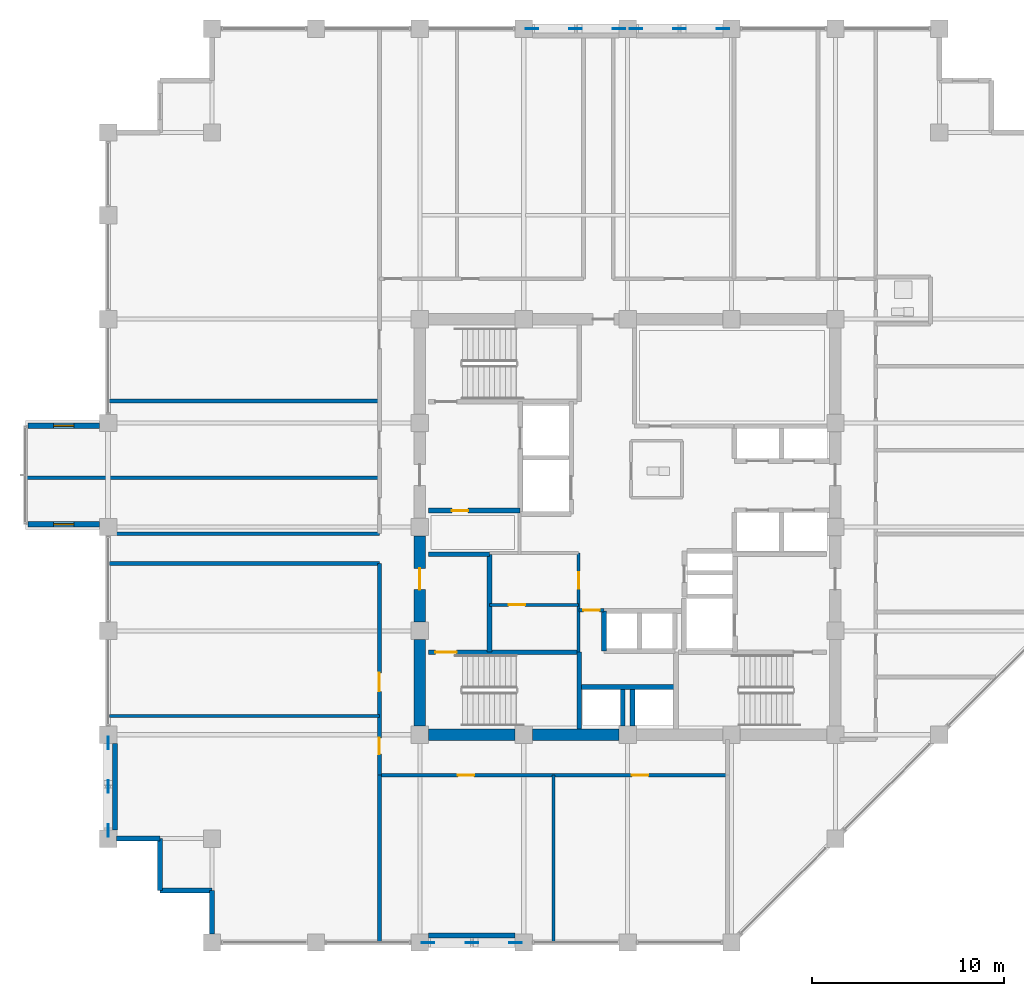
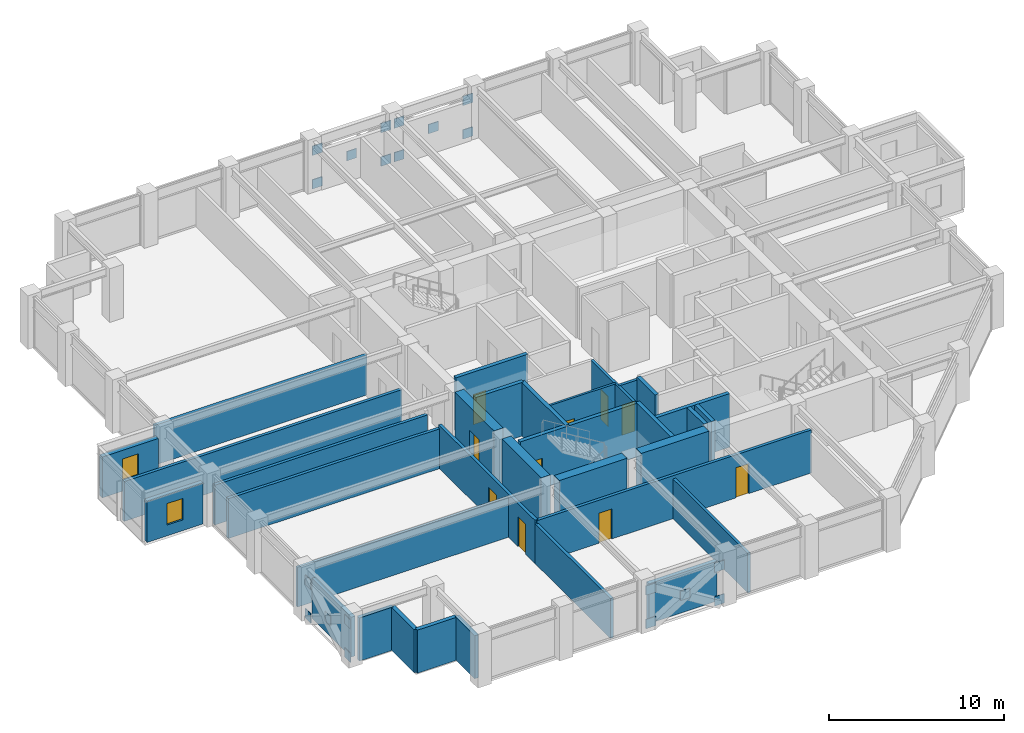
# One storey, part 22 of 28: 33 walls, 20 plates, 10 doors, 2 windows, 12 openings.
"""IFC4 building model written with IfcOpenShell, lengths in metres."""

from ifc_helpers import new_model, si_unit, direction, frame, frame_2d, origin, origin_2d, place, context, subcontext, project, spatial, rectangle, extrude, material, layer, layer_set, type_object, element, fill, save


model = new_model("IFC4")

# Units and contexts
model_context = context("Model", 3, precision=1e-05, world=origin(), true_north=direction((0.0, 1.0)))
body_context = subcontext(model_context, "Body", "Model", "MODEL_VIEW")
ifc_project = project(units=[si_unit("LENGTHUNIT", "METRE"), si_unit("AREAUNIT", "SQUARE_METRE"), si_unit("VOLUMEUNIT", "CUBIC_METRE"), si_unit("PLANEANGLEUNIT", "RADIAN"), si_unit("MASSUNIT", "GRAM", prefix="KILO")], contexts=[model_context])

# Site, building, storey
site_placement = place(None, origin())
site = spatial("IfcSite", under=ifc_project, at=site_placement, CompositionType="ELEMENT")
building_placement = place(site_placement, origin())
building = spatial("IfcBuilding", under=site, at=building_placement, Name="Surkhivell Harbour Commons", CompositionType="ELEMENT")
storey_placement = place(building_placement, frame((0.0, 0.0, 174.75)))
storey = spatial("IfcBuildingStorey", under=building, at=storey_placement, Name="L45", CompositionType="ELEMENT", Elevation=174.75)

# Plates
ifc_material_1 = material(Name="Steel S460", Category="steel")
ifc_layer_1 = layer(ifc_material_1, 0.044921875)
ifc_layer_set_1 = layer_set([ifc_layer_1], Name="Steel S460")
plate_type = type_object("IfcPlateType", Name="PLT-GUS-650", PredefinedType="USERDEFINED", material=ifc_layer_set_1)
for number, where, z_axis, x_axis, name in (
    (1, (-4.965087890625, 25.89990234375, -0.08935546875), (0.0, 0.0, 1.0), (1.0, 0.0, 0.0), "L45 Perimeter Mega-Brace MB- Corner Gusset N-1"),
    (2, (-0.43505859375, 25.89990234375, -0.08935546875), (0.0, 0.0, 1.0), (1.0, 0.0, 0.0), "L45 Perimeter Mega-Brace MB- Corner Gusset N-2"),
    (3, (-4.965087890625, 25.89990234375, 2.25146484375), (0.0, 0.0, 1.0), (1.0, 0.0, 0.0), "L45 Perimeter Mega-Brace MB- Corner Gusset N-3"),
    (4, (-0.43505859375, 25.89990234375, 2.25146484375), (0.0, 0.0, 1.0), (1.0, 0.0, 0.0), "L45 Perimeter Mega-Brace MB- Corner Gusset N-4"),
    (5, (-2.699951171875, 25.89990234375, 1.0810546875), (0.0, 0.0, 1.0), (1.0, 0.0, 0.0), "L45 Perimeter Mega-Brace MB- Central Crossing Gusset N"),
    (6, (0.43505859375, 25.89990234375, -0.08935546875), (0.0, 0.0, 1.0), (1.0, 0.0, 0.0), "L45 Perimeter Mega-Brace MB- Corner Gusset N2-1"),
    (7, (4.965087890625, 25.89990234375, -0.08935546875), (0.0, 0.0, 1.0), (1.0, 0.0, 0.0), "L45 Perimeter Mega-Brace MB- Corner Gusset N2-2"),
    (8, (0.43505859375, 25.89990234375, 2.25146484375), (0.0, 0.0, 1.0), (1.0, 0.0, 0.0), "L45 Perimeter Mega-Brace MB- Corner Gusset N2-3"),
    (9, (4.965087890625, 25.89990234375, 2.25146484375), (0.0, 0.0, 1.0), (1.0, 0.0, 0.0), "L45 Perimeter Mega-Brace MB- Corner Gusset N2-4"),
    (10, (2.699951171875, 25.89990234375, 1.0810546875), (0.0, 0.0, 1.0), (1.0, 0.0, 0.0), "L45 Perimeter Mega-Brace MB- Central Crossing Gusset N2"),
    (11, (-10.364990234375, -21.60009765625, -0.08935546875), (0.0, 0.0, 1.0), (1.0, 0.0, 0.0), "L45 Perimeter Mega-Brace MB- Corner Gusset S-1"),
    (12, (-5.8349609375, -21.60009765625, -0.08935546875), (0.0, 0.0, 1.0), (1.0, 0.0, 0.0), "L45 Perimeter Mega-Brace MB- Corner Gusset S-2"),
    (13, (-10.364990234375, -21.60009765625, 2.25146484375), (0.0, 0.0, 1.0), (1.0, 0.0, 0.0), "L45 Perimeter Mega-Brace MB- Corner Gusset S-3"),
    (14, (-5.8349609375, -21.60009765625, 2.25146484375), (0.0, 0.0, 1.0), (1.0, 0.0, 0.0), "L45 Perimeter Mega-Brace MB- Corner Gusset S-4"),
    (15, (-8.10009765625, -21.60009765625, 1.0810546875), (0.0, 0.0, 1.0), (1.0, 0.0, 0.0), "L45 Perimeter Mega-Brace MB- Central Crossing Gusset S"),
    (16, (-27.0, -15.764892578125, -0.08935546875), (0.0, 0.0, 1.0), (0.0, 1.0, 0.0), "L45 Perimeter Mega-Brace MB- Corner Gusset W-1"),
    (17, (-27.0, -11.235107421875, -0.08935546875), (0.0, 0.0, 1.0), (0.0, 1.0, 0.0), "L45 Perimeter Mega-Brace MB- Corner Gusset W-2"),
    (18, (-27.0, -15.764892578125, 2.25146484375), (0.0, 0.0, 1.0), (0.0, 1.0, 0.0), "L45 Perimeter Mega-Brace MB- Corner Gusset W-3"),
    (19, (-27.0, -11.235107421875, 2.25146484375), (0.0, 0.0, 1.0), (0.0, 1.0, 0.0), "L45 Perimeter Mega-Brace MB- Corner Gusset W-4"),
    (20, (-27.0, -13.5, 1.0810546875), (0.0, 0.0, 1.0), (0.0, 1.0, 0.0), "L45 Perimeter Mega-Brace MB- Central Crossing Gusset W"),
):
    element("IfcPlate", number, at=place(storey_placement, frame(where, z_axis=z_axis, x_axis=x_axis)), inside=storey, type_object=plate_type, Name=name, ObjectType="GUSSET_PLATE", PredefinedType="USERDEFINED", context=body_context, shape_type="SweptSolid", body=[
        extrude(rectangle(XDim=0.64990234375, YDim=0.044921875, at=origin_2d()), origin(), (0.0, 0.0, 1.0), 0.64990234375),
    ])

# Walls
ifc_material_2 = material(Name="Concrete C60/75", Category="concrete")
ifc_layer_2 = layer(ifc_material_2, 0.60009765625)
ifc_layer_set_2 = layer_set([ifc_layer_2], Name="Concrete C60/75")
wall_type_1 = type_object("IfcWallType", Name="WAL-CORE-600", PredefinedType="SHEAR", material=ifc_layer_set_2)
for number, where, z_axis, x_axis, name in (
    (21, (-10.340087890625, -10.800048828125, 0.0), (0.0, 0.0, 1.0), (1.0, 0.0, 0.0), "L45 Core Shear Wall South 1"),
    (22, (-10.800048828125, -10.340087890625, 0.0), (0.0, 0.0, 1.0), (0.0, 1.0, 0.0), "L45 Core Shear Wall West 1"),
    (23, (-4.93994140625, -10.800048828125, 0.0), (0.0, 0.0, 1.0), (1.0, 0.0, 0.0), "L45 Core Shear Wall South 2"),
):
    element("IfcWall", number, at=place(storey_placement, frame(where, z_axis=z_axis, x_axis=x_axis)), inside=storey, type_object=wall_type_1, Name=name, PredefinedType="SHEAR", context=body_context, shape_type="SweptSolid", body=[
        extrude(rectangle(XDim=4.47998046875, YDim=0.60009765625, at=frame_2d((2.239990234375, 0.0))), origin(), (0.0, 0.0, 1.0), 3.75),
    ])

# Wall, opening, door
wall_1_placement = place(storey_placement, frame((-10.800048828125, -4.93994140625, 0.0), z_axis=(0.0, 0.0, 1.0), x_axis=(0.0, 1.0, 0.0)))
wall_1 = element("IfcWall", 24, at=wall_1_placement, inside=storey, type_object=wall_type_1, Name="L45 Core Shear Wall West 2", PredefinedType="SHEAR", context=body_context, shape_type="SweptSolid", body=[
    extrude(rectangle(XDim=4.47998046875, YDim=0.60009765625, at=frame_2d((2.239990234375, 0.0))), origin(), (0.0, 0.0, 1.0), 3.75),
])
opening_1_placement = place(wall_1_placement, frame((1.68994140625, 0.0, 0.0)))
opening_1 = element("IfcOpeningElement", 25, at=opening_1_placement, cuts=wall_1, Name="Opening ID-2", PredefinedType="OPENING", context=body_context, shape_type="SweptSolid", body=[
    extrude(rectangle(XDim=1.10009765625, YDim=2.10009765625, at=frame_2d((0.550048828125, 1.050048828125))), frame((0.0, 0.31005859375, 0.0), z_axis=(0.0, -1.0, 0.0), x_axis=(1.0, 0.0, 0.0)), (0.0, 0.0, 1.0), 0.6201171875),
])
ifc_material_3 = material(Name="Hardwood-veneered fire-rated door leaf", Category="wood")
door_type_1 = type_object("IfcDoorType", Name="DOR-FD60-1100", OperationType="NOTDEFINED", PredefinedType="DOOR", material=ifc_material_3)
door_1_placement = place(opening_1_placement, origin())
door_1 = element("IfcDoor", 26, at=door_1_placement, inside=storey, type_object=door_type_1, Name="L45 Stair 3 Lobby Corridor Door", OperationType="SINGLE_SWING_LEFT", OverallHeight=2.10009765625, OverallWidth=1.10009765625, PredefinedType="DOOR", context=body_context, shape_type="SweptSolid", body=[
    extrude(rectangle(XDim=1.10009765625, YDim=2.10009765625, at=frame_2d((0.550048828125, 1.050048828125))), frame((0.0, 0.02490234375, 0.0), z_axis=(0.0, -1.0, 0.0), x_axis=(1.0, 0.0, 0.0)), (0.0, 0.0, 1.0), 0.050048828125),
])
fill(opening_1, door_1)

# Wall, opening, window
ifc_material_4 = material(Name="Flemish-bond kiln brick and precast concrete C45/55", Category="masonry")
ifc_layer_3 = layer(ifc_material_4, 0.300048828125)
ifc_layer_set_3 = layer_set([ifc_layer_3], Name="Flemish-bond kiln brick and precast concrete C45/55")
wall_type_2 = type_object("IfcWallType", Name="WAL-EXT-BRK300", PredefinedType="STANDARD", material=ifc_layer_set_3)
wall_2_placement = place(storey_placement, frame((-31.159912109375, 0.139892578125, 0.0), z_axis=(0.0, 0.0, 1.0), x_axis=(1.0, 0.0, 0.0)))
wall_2 = element("IfcWall", 27, at=wall_2_placement, inside=storey, type_object=wall_type_2, Name="L45 Coloured Box Return Wall 02S", PredefinedType="STANDARD", context=body_context, shape_type="SweptSolid", body=[
    extrude(rectangle(XDim=3.705810546875, YDim=0.300048828125, at=frame_2d((1.85302734375, 0.0))), origin(), (0.0, 0.0, 1.0), 2.85693359375),
])
opening_2_placement = place(wall_2_placement, frame((1.327880859375, 0.0, 0.75)))
opening_2 = element("IfcOpeningElement", 28, at=opening_2_placement, cuts=wall_2, Name="Opening WN-11", PredefinedType="OPENING", context=body_context, shape_type="SweptSolid", body=[
    extrude(rectangle(XDim=1.050048828125, YDim=1.5, at=frame_2d((0.52490234375, 0.75))), frame((0.0, 0.159912109375, 0.0), z_axis=(0.0, -1.0, 0.0), x_axis=(1.0, 0.0, 0.0)), (0.0, 0.0, 1.0), 0.320068359375),
])
ifc_material_5 = material(Name="Thermal-break aluminium frame and double low-E glazing", Category="aluminium")
window_type = type_object("IfcWindowType", Name="WIN-SER-1050x1500", PartitioningType="SINGLE_PANEL", PredefinedType="WINDOW", material=ifc_material_5)
window_1_placement = place(opening_2_placement, origin())
window_1 = element("IfcWindow", 29, at=window_1_placement, inside=storey, type_object=window_type, Name="L45 Coloured Box Return Window 02S", OverallHeight=1.5, OverallWidth=1.050048828125, PartitioningType="SINGLE_PANEL", PredefinedType="WINDOW", context=body_context, shape_type="SweptSolid", body=[
    extrude(rectangle(XDim=1.050048828125, YDim=1.5, at=frame_2d((0.52490234375, 0.75))), frame((0.0, 0.030029296875, 0.0), z_axis=(0.0, -1.0, 0.0), x_axis=(1.0, 0.0, 0.0)), (0.0, 0.0, 1.0), 0.06005859375),
])
fill(opening_2, window_1)

wall_3_placement = place(storey_placement, frame((-31.159912109375, 5.260009765625, 0.0), z_axis=(0.0, 0.0, 1.0), x_axis=(1.0, 0.0, 0.0)))
wall_3 = element("IfcWall", 30, at=wall_3_placement, inside=storey, type_object=wall_type_2, Name="L45 Coloured Box Return Wall 02N", PredefinedType="STANDARD", context=body_context, shape_type="SweptSolid", body=[
    extrude(rectangle(XDim=3.705810546875, YDim=0.300048828125, at=frame_2d((1.85302734375, 0.0))), origin(), (0.0, 0.0, 1.0), 2.85693359375),
])
opening_3_placement = place(wall_3_placement, frame((1.327880859375, 0.0, 0.75)))
opening_3 = element("IfcOpeningElement", 31, at=opening_3_placement, cuts=wall_3, Name="Opening WN-11", PredefinedType="OPENING", context=body_context, shape_type="SweptSolid", body=[
    extrude(rectangle(XDim=1.050048828125, YDim=1.5, at=frame_2d((0.52490234375, 0.75))), frame((0.0, 0.159912109375, 0.0), z_axis=(0.0, -1.0, 0.0), x_axis=(1.0, 0.0, 0.0)), (0.0, 0.0, 1.0), 0.320068359375),
])
window_2_placement = place(opening_3_placement, origin())
window_2 = element("IfcWindow", 32, at=window_2_placement, inside=storey, type_object=window_type, Name="L45 Coloured Box Return Window 02N", OverallHeight=1.5, OverallWidth=1.050048828125, PartitioningType="SINGLE_PANEL", PredefinedType="WINDOW", context=body_context, shape_type="SweptSolid", body=[
    extrude(rectangle(XDim=1.050048828125, YDim=1.5, at=frame_2d((0.52490234375, 0.75))), frame((0.0, 0.030029296875, 0.0), z_axis=(0.0, -1.0, 0.0), x_axis=(1.0, 0.0, 0.0)), (0.0, 0.0, 1.0), 0.06005859375),
])
fill(opening_3, window_2)

# Walls
ifc_material_6 = material(Name="Pale-metal insulated precast concrete C45/55", Category="concrete")
ifc_layer_4 = layer(ifc_material_6, 0.260009765625)
ifc_layer_set_4 = layer_set([ifc_layer_4], Name="Pale-metal insulated precast concrete C45/55")
wall_type_3 = type_object("IfcWallType", Name="WAL-EXT-MTL260", PredefinedType="STANDARD", material=ifc_layer_set_4)
wall_4_placement = place(storey_placement, frame((-10.35205078125, -21.239990234375, 0.0), z_axis=(0.0, 0.0, 1.0), x_axis=(1.0, 0.0, 0.0)))
element("IfcWall", 33, at=wall_4_placement, inside=storey, type_object=wall_type_3, Name="L45 Braced-Bay Insulated Spandrel Backing S", PredefinedType="STANDARD", context=body_context, shape_type="SweptSolid", body=[
    extrude(rectangle(XDim=4.504150390625, YDim=0.260009765625, at=frame_2d((2.251953125, 0.0))), origin(), (0.0, 0.0, 1.0), 2.780029296875),
])
wall_5_placement = place(storey_placement, frame((-26.639892578125, -15.751953125, 0.0), z_axis=(0.0, 0.0, 1.0), x_axis=(0.0, 1.0, 0.0)))
element("IfcWall", 34, at=wall_5_placement, inside=storey, type_object=wall_type_3, Name="L45 Braced-Bay Insulated Spandrel Backing W", PredefinedType="STANDARD", context=body_context, shape_type="SweptSolid", body=[
    extrude(rectangle(XDim=4.50390625, YDim=0.260009765625, at=frame_2d((2.251953125, 0.0))), origin(), (0.0, 0.0, 1.0), 2.780029296875),
])
wall_6_placement = place(storey_placement, frame((-26.552001953125, -16.199951171875, 0.0), z_axis=(0.0, 0.0, 1.0), x_axis=(1.0, 0.0, 0.0)))
element("IfcWall", 35, at=wall_6_placement, inside=storey, type_object=wall_type_3, Name="L45 Serrated Corner Facade Wall 13", PredefinedType="STANDARD", context=body_context, shape_type="SweptSolid", body=[
    extrude(rectangle(XDim=2.251953125, YDim=0.260009765625, at=frame_2d((1.1259765625, 0.0))), origin(), (0.0, 0.0, 1.0), 3.006103515625),
])
for number, where, z_axis, x_axis, name in (
    (36, (-24.300048828125, -16.199951171875, 0.0), (0.0, 0.0, 1.0), (0.0, -1.0, 0.0), "L45 Serrated Corner Facade Wall 14"),
    (37, (-24.300048828125, -18.89990234375, 0.0), (0.0, 0.0, 1.0), (1.0, 0.0, 0.0), "L45 Serrated Corner Facade Wall 15"),
):
    element("IfcWall", number, at=place(storey_placement, frame(where, z_axis=z_axis, x_axis=x_axis)), inside=storey, type_object=wall_type_3, Name=name, PredefinedType="STANDARD", context=body_context, shape_type="SweptSolid", body=[
        extrude(rectangle(XDim=2.699951171875, YDim=0.260009765625, at=frame_2d((1.35009765625, 0.0))), origin(), (0.0, 0.0, 1.0), 3.006103515625),
    ])
wall_7_placement = place(storey_placement, frame((-21.60009765625, -18.89990234375, 0.0), z_axis=(0.0, 0.0, 1.0), x_axis=(0.0, -1.0, 0.0)))
element("IfcWall", 38, at=wall_7_placement, inside=storey, type_object=wall_type_3, Name="L45 Serrated Corner Facade Wall 16", PredefinedType="STANDARD", context=body_context, shape_type="SweptSolid", body=[
    extrude(rectangle(XDim=2.252197265625, YDim=0.260009765625, at=frame_2d((1.1259765625, 0.0))), origin(), (0.0, 0.0, 1.0), 3.006103515625),
])

# Wall, opening, door
ifc_material_7 = material(Name="Twin-stud acoustic fireboard partition", Category="other")
ifc_layer_5 = layer(ifc_material_7, 0.14990234375)
ifc_layer_set_5 = layer_set([ifc_layer_5], Name="Twin-stud acoustic fireboard partition")
wall_type_4 = type_object("IfcWallType", Name="WAL-INT-150", PredefinedType="PARTITIONING", material=ifc_layer_set_5)
wall_8_placement = place(storey_placement, frame((-7.179931640625, -4.050048828125, 0.0), z_axis=(0.0, 0.0, 1.0), x_axis=(1.0, 0.0, 0.0)))
wall_8 = element("IfcWall", 39, at=wall_8_placement, inside=storey, type_object=wall_type_4, Name="L45 Core Cut A Partition", PredefinedType="PARTITIONING", context=body_context, shape_type="SweptSolid", body=[
    extrude(rectangle(XDim=4.6298828125, YDim=0.14990234375, at=frame_2d((2.31494140625, 0.0))), origin(), (0.0, 0.0, 1.0), 3.570068359375),
])
opening_4_placement = place(wall_8_placement, frame((1.0, 0.0, 0.0)))
opening_4 = element("IfcOpeningElement", 40, at=opening_4_placement, cuts=wall_8, Name="Opening ID-6", PredefinedType="OPENING", context=body_context, shape_type="SweptSolid", body=[
    extrude(rectangle(XDim=0.85009765625, YDim=2.10009765625, at=frame_2d((0.425048828125, 1.050048828125))), frame((0.0, 0.0849609375, 0.0), z_axis=(0.0, -1.0, 0.0), x_axis=(1.0, 0.0, 0.0)), (0.0, 0.0, 1.0), 0.169921875),
])
door_type_2 = type_object("IfcDoorType", Name="DOR-FD30-850", OperationType="NOTDEFINED", PredefinedType="DOOR", material=ifc_material_3)
door_2_placement = place(opening_4_placement, origin())
door_2 = element("IfcDoor", 41, at=door_2_placement, inside=storey, type_object=door_type_2, Name="L45 Linen Room Door", OperationType="SINGLE_SWING_RIGHT", OverallHeight=2.10009765625, OverallWidth=0.85009765625, PredefinedType="DOOR", context=body_context, shape_type="SweptSolid", body=[
    extrude(rectangle(XDim=0.85009765625, YDim=2.10009765625, at=frame_2d((0.425048828125, 1.050048828125))), frame((0.0, 0.02490234375, 0.0), z_axis=(0.0, -1.0, 0.0), x_axis=(1.0, 0.0, 0.0)), (0.0, 0.0, 1.0), 0.050048828125),
])
fill(opening_4, door_2)

# Wall
wall_9_placement = place(storey_placement, frame((-26.93994140625, -9.820068359375, 0.0), z_axis=(0.0, 0.0, 1.0), x_axis=(1.0, 0.0, 0.0)))
element("IfcWall", 42, at=wall_9_placement, inside=storey, type_object=wall_type_4, Name="L45 South-West Partition P1", PredefinedType="PARTITIONING", context=body_context, shape_type="SweptSolid", body=[
    extrude(rectangle(XDim=14.0400390625, YDim=0.14990234375, at=frame_2d((7.02001953125, 0.0))), origin(), (0.0, 0.0, 1.0), 2.780029296875),
])

# Wall, opening, door
ifc_material_8 = material(Name="High-density acoustic blockwork fire partition", Category="masonry")
ifc_layer_6 = layer(ifc_material_8, 0.175048828125)
ifc_layer_set_6 = layer_set([ifc_layer_6], Name="High-density acoustic blockwork fire partition")
wall_type_5 = type_object("IfcWallType", Name="WAL-INT-175", PredefinedType="PARTITIONING", material=ifc_layer_set_6)
wall_10_placement = place(storey_placement, frame((-2.550048828125, -6.510009765625, 0.0), z_axis=(0.0, 0.0, 1.0), x_axis=(0.0, 1.0, 0.0)))
wall_10 = element("IfcWall", 43, at=wall_10_placement, inside=storey, type_object=wall_type_5, Name="L45 Core Service Bay East Wall", PredefinedType="PARTITIONING", context=body_context, shape_type="SweptSolid", body=[
    extrude(rectangle(XDim=5.159912109375, YDim=0.175048828125, at=frame_2d((2.580078125, 0.0))), origin(), (0.0, 0.0, 1.0), 3.570068359375),
])
opening_5_placement = place(wall_10_placement, frame((3.300048828125, 0.0, 0.0)))
opening_5 = element("IfcOpeningElement", 44, at=opening_5_placement, cuts=wall_10, Name="Opening ID-6", PredefinedType="OPENING", context=body_context, shape_type="SweptSolid", body=[
    extrude(rectangle(XDim=0.85009765625, YDim=2.10009765625, at=frame_2d((0.425048828125, 1.050048828125))), frame((0.0, 0.097412109375, 0.0), z_axis=(0.0, -1.0, 0.0), x_axis=(1.0, 0.0, 0.0)), (0.0, 0.0, 1.0), 0.195068359375),
])
door_3_placement = place(opening_5_placement, origin())
door_3 = element("IfcDoor", 45, at=door_3_placement, inside=storey, type_object=door_type_2, Name="L45 Core Reading Alcove Door", OperationType="SINGLE_SWING_LEFT", OverallHeight=2.10009765625, OverallWidth=0.85009765625, PredefinedType="DOOR", context=body_context, shape_type="SweptSolid", body=[
    extrude(rectangle(XDim=0.85009765625, YDim=2.10009765625, at=frame_2d((0.425048828125, 1.050048828125))), frame((0.0, 0.02490234375, 0.0), z_axis=(0.0, -1.0, 0.0), x_axis=(1.0, 0.0, 0.0)), (0.0, 0.0, 1.0), 0.050048828125),
])
fill(opening_5, door_3)

wall_11_placement = place(storey_placement, frame((-2.52001953125, -4.320068359375, 0.0), z_axis=(0.0, 0.0, 1.0), x_axis=(1.0, 0.0, 0.0)))
wall_11 = element("IfcWall", 46, at=wall_11_placement, inside=storey, type_object=wall_type_5, Name="L45 High-Rise Lobby North Portal Wall", PredefinedType="PARTITIONING", context=body_context, shape_type="SweptSolid", body=[
    extrude(rectangle(XDim=1.300048828125, YDim=0.175048828125, at=frame_2d((0.64990234375, 0.0))), origin(), (0.0, 0.0, 1.0), 3.570068359375),
])
opening_6_placement = place(wall_11_placement, frame((0.219970703125, 0.0, 0.0)))
opening_6 = element("IfcOpeningElement", 47, at=opening_6_placement, cuts=wall_11, Name="Opening ID-6", PredefinedType="OPENING", context=body_context, shape_type="SweptSolid", body=[
    extrude(rectangle(XDim=0.85009765625, YDim=2.10009765625, at=frame_2d((0.425048828125, 1.050048828125))), frame((0.0, 0.097412109375, 0.0), z_axis=(0.0, -1.0, 0.0), x_axis=(1.0, 0.0, 0.0)), (0.0, 0.0, 1.0), 0.195068359375),
])
door_4_placement = place(opening_6_placement, origin())
door_4 = element("IfcDoor", 48, at=door_4_placement, inside=storey, type_object=door_type_2, Name="L45 High-Rise Lift Lobby North Door", OperationType="SINGLE_SWING_LEFT", OverallHeight=2.10009765625, OverallWidth=0.85009765625, PredefinedType="DOOR", context=body_context, shape_type="SweptSolid", body=[
    extrude(rectangle(XDim=0.85009765625, YDim=2.10009765625, at=frame_2d((0.425048828125, 1.050048828125))), frame((0.0, 0.02490234375, 0.0), z_axis=(0.0, -1.0, 0.0), x_axis=(1.0, 0.0, 0.0)), (0.0, 0.0, 1.0), 0.050048828125),
])
fill(opening_6, door_4)

# Walls
wall_12_placement = place(storey_placement, frame((-3.85009765625, -21.5400390625, 0.0), z_axis=(0.0, 0.0, 1.0), x_axis=(0.0, 1.0, 0.0)))
element("IfcWall", 49, at=wall_12_placement, inside=storey, type_object=wall_type_5, Name="L45 South Partition P1", PredefinedType="PARTITIONING", context=body_context, shape_type="SweptSolid", body=[
    extrude(rectangle(XDim=8.64013671875, YDim=0.175048828125, at=frame_2d((4.320068359375, 0.0))), origin(), (0.0, 0.0, 1.0), 2.780029296875),
])
ifc_material_9 = material(Name="Autoclaved aerated concrete blockwork and fire plaster", Category="masonry")
ifc_layer_7 = layer(ifc_material_9, 0.199951171875)
ifc_layer_set_7 = layer_set([ifc_layer_7], Name="Autoclaved aerated concrete blockwork and fire plaster")
wall_type_6 = type_object("IfcWallType", Name="WAL-INT-200", PredefinedType="PARTITIONING", material=ifc_layer_set_7)
wall_13_placement = place(storey_placement, frame((-12.89990234375, -21.5400390625, 0.0), z_axis=(0.0, 0.0, 1.0), x_axis=(0.0, 1.0, 0.0)))
element("IfcWall", 50, at=wall_13_placement, inside=storey, type_object=wall_type_6, Name="L45 South-West Corner Wall", PredefinedType="PARTITIONING", context=body_context, shape_type="SweptSolid", body=[
    extrude(rectangle(XDim=8.64013671875, YDim=0.199951171875, at=frame_2d((4.320068359375, 0.0))), origin(), (0.0, 0.0, 1.0), 2.780029296875),
])

# Wall, openings, doors
wall_14_placement = place(storey_placement, frame((-12.89990234375, -12.89990234375, 0.0), z_axis=(0.0, 0.0, 1.0), x_axis=(1.0, 0.0, 0.0)))
wall_14 = element("IfcWall", 51, at=wall_14_placement, inside=storey, type_object=wall_type_6, Name="L45 Corridor South Wall", PredefinedType="PARTITIONING", context=body_context, shape_type="SweptSolid", body=[
    extrude(rectangle(XDim=18.099853515625, YDim=0.199951171875, at=frame_2d((9.0498046875, 0.0))), origin(), (0.0, 0.0, 1.0), 3.006103515625),
])
opening_7_placement = place(wall_14_placement, frame((4.074951171875, 0.0, 0.0)))
opening_7 = element("IfcOpeningElement", 52, at=opening_7_placement, cuts=wall_14, Name="Opening ID-6", PredefinedType="OPENING", context=body_context, shape_type="SweptSolid", body=[
    extrude(rectangle(XDim=0.85009765625, YDim=2.10009765625, at=frame_2d((0.425048828125, 1.050048828125))), frame((0.0, 0.10986328125, 0.0), z_axis=(0.0, -1.0, 0.0), x_axis=(1.0, 0.0, 0.0)), (0.0, 0.0, 1.0), 0.219970703125),
])
opening_8_placement = place(wall_14_placement, frame((13.125, 0.0, 0.0)))
opening_8 = element("IfcOpeningElement", 53, at=opening_8_placement, cuts=wall_14, Name="Opening ID-6", PredefinedType="OPENING", context=body_context, shape_type="SweptSolid", body=[
    extrude(rectangle(XDim=0.85009765625, YDim=2.10009765625, at=frame_2d((0.425048828125, 1.050048828125))), frame((0.0, 0.10986328125, 0.0), z_axis=(0.0, -1.0, 0.0), x_axis=(1.0, 0.0, 0.0)), (0.0, 0.0, 1.0), 0.219970703125),
])
door_5_placement = place(opening_7_placement, origin())
door_5 = element("IfcDoor", 54, at=door_5_placement, inside=storey, type_object=door_type_2, Name="L45 Campus Co-Op Bookshop South Door", OperationType="SINGLE_SWING_LEFT", OverallHeight=2.10009765625, OverallWidth=0.85009765625, PredefinedType="DOOR", context=body_context, shape_type="SweptSolid", body=[
    extrude(rectangle(XDim=0.85009765625, YDim=2.10009765625, at=frame_2d((0.425048828125, 1.050048828125))), frame((0.0, 0.02490234375, 0.0), z_axis=(0.0, -1.0, 0.0), x_axis=(1.0, 0.0, 0.0)), (0.0, 0.0, 1.0), 0.050048828125),
])
fill(opening_7, door_5)
door_6_placement = place(opening_8_placement, origin())
door_6 = element("IfcDoor", 55, at=door_6_placement, inside=storey, type_object=door_type_2, Name="L45 Harbour Espresso Cafe Shop South Door", OperationType="SINGLE_SWING_RIGHT", OverallHeight=2.10009765625, OverallWidth=0.85009765625, PredefinedType="DOOR", context=body_context, shape_type="SweptSolid", body=[
    extrude(rectangle(XDim=0.85009765625, YDim=2.10009765625, at=frame_2d((0.425048828125, 1.050048828125))), frame((0.0, 0.02490234375, 0.0), z_axis=(0.0, -1.0, 0.0), x_axis=(1.0, 0.0, 0.0)), (0.0, 0.0, 1.0), 0.050048828125),
])
fill(opening_8, door_6)

# Walls
for number, where, z_axis, x_axis, name in (
    (56, (-26.93994140625, -0.35009765625, 0.0), (0.0, 0.0, 1.0), (1.0, 0.0, 0.0), "L45 West Spur North Wall"),
    (57, (-26.93994140625, -1.89990234375, 0.0), (0.0, 0.0, 1.0), (1.0, 0.0, 0.0), "L45 West Spur South Wall"),
):
    element("IfcWall", number, at=place(storey_placement, frame(where, z_axis=z_axis, x_axis=x_axis)), inside=storey, type_object=wall_type_6, Name=name, PredefinedType="PARTITIONING", context=body_context, shape_type="SweptSolid", body=[
        extrude(rectangle(XDim=14.0400390625, YDim=0.199951171875, at=frame_2d((7.02001953125, 0.0))), origin(), (0.0, 0.0, 1.0), 2.780029296875),
    ])

# Wall, openings, doors
wall_15_placement = place(storey_placement, frame((-12.89990234375, -12.89990234375, 0.0), z_axis=(0.0, 0.0, 1.0), x_axis=(0.0, 1.0, 0.0)))
wall_15 = element("IfcWall", 58, at=wall_15_placement, inside=storey, type_object=wall_type_6, Name="L45 Corridor West-Lower Wall", PredefinedType="PARTITIONING", context=body_context, shape_type="SweptSolid", body=[
    extrude(rectangle(XDim=11.0, YDim=0.199951171875, at=frame_2d((5.5, 0.0))), origin(), (0.0, 0.0, 1.0), 3.006103515625),
])
opening_9_placement = place(wall_15_placement, frame((1.090087890625, 0.0, 0.0)))
opening_9 = element("IfcOpeningElement", 59, at=opening_9_placement, cuts=wall_15, Name="Opening ID-6", PredefinedType="OPENING", context=body_context, shape_type="SweptSolid", body=[
    extrude(rectangle(XDim=0.85009765625, YDim=2.10009765625, at=frame_2d((0.425048828125, 1.050048828125))), frame((0.0, 0.10986328125, 0.0), z_axis=(0.0, -1.0, 0.0), x_axis=(1.0, 0.0, 0.0)), (0.0, 0.0, 1.0), 0.219970703125),
])
opening_10_placement = place(wall_15_placement, frame((4.361572265625, 0.0, 0.0)))
opening_10 = element("IfcOpeningElement", 60, at=opening_10_placement, cuts=wall_15, Name="Opening ID-4", PredefinedType="OPENING", context=body_context, shape_type="SweptSolid", body=[
    extrude(rectangle(XDim=0.949951171875, YDim=2.10009765625, at=frame_2d((0.47509765625, 1.050048828125))), frame((0.0, 0.10986328125, 0.0), z_axis=(0.0, -1.0, 0.0), x_axis=(1.0, 0.0, 0.0)), (0.0, 0.0, 1.0), 0.219970703125),
])
door_7_placement = place(opening_9_placement, origin())
door_7 = element("IfcDoor", 61, at=door_7_placement, inside=storey, type_object=door_type_2, Name="L45 Shared Communal Kitchen A South-West Door", OperationType="SINGLE_SWING_LEFT", OverallHeight=2.10009765625, OverallWidth=0.85009765625, PredefinedType="DOOR", context=body_context, shape_type="SweptSolid", body=[
    extrude(rectangle(XDim=0.85009765625, YDim=2.10009765625, at=frame_2d((0.425048828125, 1.050048828125))), frame((0.0, 0.02490234375, 0.0), z_axis=(0.0, -1.0, 0.0), x_axis=(1.0, 0.0, 0.0)), (0.0, 0.0, 1.0), 0.050048828125),
])
fill(opening_9, door_7)
door_type_3 = type_object("IfcDoorType", Name="DOR-FD60-950", OperationType="NOTDEFINED", PredefinedType="DOOR", material=ifc_material_3)
door_8_placement = place(opening_10_placement, origin())
door_8 = element("IfcDoor", 62, at=door_8_placement, inside=storey, type_object=door_type_3, Name="L45 Shared Communal Kitchen B South-West Door", OperationType="SINGLE_SWING_RIGHT", OverallHeight=2.10009765625, OverallWidth=0.949951171875, PredefinedType="DOOR", context=body_context, shape_type="SweptSolid", body=[
    extrude(rectangle(XDim=0.949951171875, YDim=2.10009765625, at=frame_2d((0.47509765625, 1.050048828125))), frame((0.0, 0.02490234375, 0.0), z_axis=(0.0, -1.0, 0.0), x_axis=(1.0, 0.0, 0.0)), (0.0, 0.0, 1.0), 0.050048828125),
])
fill(opening_10, door_8)

# Walls
wall_16_placement = place(storey_placement, frame((-31.239990234375, 2.56005859375, 0.0), z_axis=(0.0, 0.0, 1.0), x_axis=(1.0, 0.0, 0.0)))
element("IfcWall", 63, at=wall_16_placement, inside=storey, type_object=wall_type_6, Name="L45 North-West Partition P1", PredefinedType="PARTITIONING", context=body_context, shape_type="SweptSolid", body=[
    extrude(rectangle(XDim=18.340087890625, YDim=0.199951171875, at=frame_2d((9.169921875, 0.0))), origin(), (0.0, 0.0, 1.0), 2.780029296875),
])
wall_17_placement = place(storey_placement, frame((-26.93994140625, 6.5400390625, 0.0), z_axis=(0.0, 0.0, 1.0), x_axis=(1.0, 0.0, 0.0)))
element("IfcWall", 64, at=wall_17_placement, inside=storey, type_object=wall_type_6, Name="L45 North-West Partition P2", PredefinedType="PARTITIONING", context=body_context, shape_type="SweptSolid", body=[
    extrude(rectangle(XDim=14.0400390625, YDim=0.199951171875, at=frame_2d((7.02001953125, 0.0))), origin(), (0.0, 0.0, 1.0), 2.780029296875),
])

# Wall, opening, door
ifc_material_10 = material(Name="Concrete C50/60", Category="concrete")
ifc_layer_8 = layer(ifc_material_10, 0.25)
ifc_layer_set_8 = layer_set([ifc_layer_8], Name="Concrete C50/60")
wall_type_7 = type_object("IfcWallType", Name="WAL-SHAFT-250", PredefinedType="SHEAR", material=ifc_layer_set_8)
wall_18_placement = place(storey_placement, frame((-10.340087890625, 0.85009765625, 0.0), z_axis=(0.0, 0.0, 1.0), x_axis=(1.0, 0.0, 0.0)))
wall_18 = element("IfcWall", 65, at=wall_18_placement, inside=storey, type_object=wall_type_7, Name="L45 Firefighting Lobby 1 South Wall", PredefinedType="SHEAR", context=body_context, shape_type="SweptSolid", body=[
    extrude(rectangle(XDim=4.760009765625, YDim=0.25, at=frame_2d((2.3798828125, 0.0))), origin(), (0.0, 0.0, 1.0), 3.75),
])
opening_11_placement = place(wall_18_placement, frame((1.199951171875, 0.0, 0.0)))
opening_11 = element("IfcOpeningElement", 66, at=opening_11_placement, cuts=wall_18, Name="Opening ID-6", PredefinedType="OPENING", context=body_context, shape_type="SweptSolid", body=[
    extrude(rectangle(XDim=0.85009765625, YDim=2.10009765625, at=frame_2d((0.425048828125, 1.050048828125))), frame((0.0, 0.135009765625, 0.0), z_axis=(0.0, -1.0, 0.0), x_axis=(1.0, 0.0, 0.0)), (0.0, 0.0, 1.0), 0.27001953125),
])
door_9_placement = place(opening_11_placement, origin())
door_9 = element("IfcDoor", 67, at=door_9_placement, inside=storey, type_object=door_type_2, Name="L45 West Quiet Study Door", OperationType="SINGLE_SWING_RIGHT", OverallHeight=2.10009765625, OverallWidth=0.85009765625, PredefinedType="DOOR", context=body_context, shape_type="SweptSolid", body=[
    extrude(rectangle(XDim=0.85009765625, YDim=2.10009765625, at=frame_2d((0.425048828125, 1.050048828125))), frame((0.0, 0.02490234375, 0.0), z_axis=(0.0, -1.0, 0.0), x_axis=(1.0, 0.0, 0.0)), (0.0, 0.0, 1.0), 0.050048828125),
])
fill(opening_11, door_9)

# Walls
for number, where, z_axis, x_axis, name in (
    (68, (-0.25, -10.35009765625, 0.0), (0.0, 0.0, 1.0), (0.0, 1.0, 0.0), "L45 High-Rise Side Wall S"),
    (69, (0.25, -10.35009765625, 0.0), (0.0, 0.0, 1.0), (0.0, 1.0, 0.0), "L45 High-Rise Side Wall S"),
):
    element("IfcWall", number, at=place(storey_placement, frame(where, z_axis=z_axis, x_axis=x_axis)), inside=storey, type_object=wall_type_7, Name=name, PredefinedType="SHEAR", context=body_context, shape_type="SweptSolid", body=[
        extrude(rectangle(XDim=1.91015625, YDim=0.25, at=frame_2d((0.955078125, 0.0))), origin(), (0.0, 0.0, 1.0), 3.75),
    ])
wall_19_placement = place(storey_placement, frame((-1.219970703125, -6.43994140625, 0.0), z_axis=(0.0, 0.0, 1.0), x_axis=(0.0, 1.0, 0.0)))
element("IfcWall", 70, at=wall_19_placement, inside=storey, type_object=wall_type_7, Name="L45 High-Rise Passage East Shaft Wall", PredefinedType="SHEAR", context=body_context, shape_type="SweptSolid", body=[
    extrude(rectangle(XDim=2.079833984375, YDim=0.25, at=frame_2d((1.0400390625, 0.0))), origin(), (0.0, 0.0, 1.0), 3.75),
])
wall_20_placement = place(storey_placement, frame((-2.47998046875, -8.320068359375, 0.0), z_axis=(0.0, 0.0, 1.0), x_axis=(1.0, 0.0, 0.0)))
element("IfcWall", 71, at=wall_20_placement, inside=storey, type_object=wall_type_7, Name="L45 High-Rise South Front Shaft Wall", PredefinedType="SHEAR", context=body_context, shape_type="SweptSolid", body=[
    extrude(rectangle(XDim=4.929931640625, YDim=0.25, at=frame_2d((2.46484375, 0.0))), origin(), (0.0, 0.0, 1.0), 3.75),
])
wall_21_placement = place(storey_placement, frame((-2.510009765625, -10.5, 0.0), z_axis=(0.0, 0.0, 1.0), x_axis=(0.0, 1.0, 0.0)))
element("IfcWall", 72, at=wall_21_placement, inside=storey, type_object=wall_type_7, Name="L45 Stair ST3 East Shear Wall", PredefinedType="SHEAR", context=body_context, shape_type="SweptSolid", body=[
    extrude(rectangle(XDim=3.989990234375, YDim=0.25, at=frame_2d((1.9951171875, 0.0))), origin(), (0.0, 0.0, 1.0), 3.75),
])
wall_22_placement = place(storey_placement, frame((-7.179931640625, -6.510009765625, 0.0), z_axis=(0.0, 0.0, 1.0), x_axis=(0.0, 1.0, 0.0)))
element("IfcWall", 73, at=wall_22_placement, inside=storey, type_object=wall_type_7, Name="L45 Stair 3 Lobby East Wall", PredefinedType="SHEAR", context=body_context, shape_type="SweptSolid", body=[
    extrude(rectangle(XDim=5.090087890625, YDim=0.25, at=frame_2d((2.544921875, 0.0))), origin(), (0.0, 0.0, 1.0), 3.75),
])
wall_23_placement = place(storey_placement, frame((-10.340087890625, -1.419921875, 0.0), z_axis=(0.0, 0.0, 1.0), x_axis=(1.0, 0.0, 0.0)))
element("IfcWall", 74, at=wall_23_placement, inside=storey, type_object=wall_type_7, Name="L45 Stair 3 Lobby North Wall", PredefinedType="SHEAR", context=body_context, shape_type="SweptSolid", body=[
    extrude(rectangle(XDim=3.16015625, YDim=0.25, at=frame_2d((1.580078125, 0.0))), origin(), (0.0, 0.0, 1.0), 3.75),
])

# Wall, opening, door
wall_24_placement = place(storey_placement, frame((-10.340087890625, -6.510009765625, 0.0), z_axis=(0.0, 0.0, 1.0), x_axis=(1.0, 0.0, 0.0)))
wall_24 = element("IfcWall", 75, at=wall_24_placement, inside=storey, type_object=wall_type_7, Name="L45 Stair ST3 North Shear Wall", PredefinedType="SHEAR", context=body_context, shape_type="SweptSolid", body=[
    extrude(rectangle(XDim=7.7001953125, YDim=0.25, at=frame_2d((3.85009765625, 0.0))), origin(), (0.0, 0.0, 1.0), 3.75),
])
opening_12_placement = place(wall_24_placement, frame((0.35009765625, 0.0, 0.0)))
opening_12 = element("IfcOpeningElement", 76, at=opening_12_placement, cuts=wall_24, Name="Opening ID-2", PredefinedType="OPENING", context=body_context, shape_type="SweptSolid", body=[
    extrude(rectangle(XDim=1.10009765625, YDim=2.10009765625, at=frame_2d((0.550048828125, 1.050048828125))), frame((0.0, 0.135009765625, 0.0), z_axis=(0.0, -1.0, 0.0), x_axis=(1.0, 0.0, 0.0)), (0.0, 0.0, 1.0), 0.27001953125),
])
door_10_placement = place(opening_12_placement, origin())
door_10 = element("IfcDoor", 77, at=door_10_placement, inside=storey, type_object=door_type_1, Name="L45 Stair ST3 Exit Door", OperationType="SINGLE_SWING_RIGHT", OverallHeight=2.10009765625, OverallWidth=1.10009765625, PredefinedType="DOOR", context=body_context, shape_type="SweptSolid", body=[
    extrude(rectangle(XDim=1.10009765625, YDim=2.10009765625, at=frame_2d((0.550048828125, 1.050048828125))), frame((0.0, 0.02490234375, 0.0), z_axis=(0.0, -1.0, 0.0), x_axis=(1.0, 0.0, 0.0)), (0.0, 0.0, 1.0), 0.050048828125),
])
fill(opening_12, door_10)

save(model, "model.ifc")
